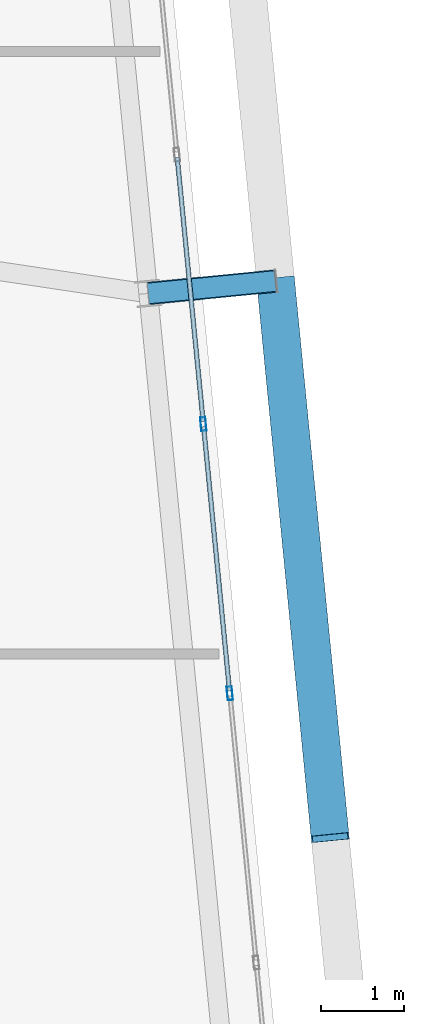
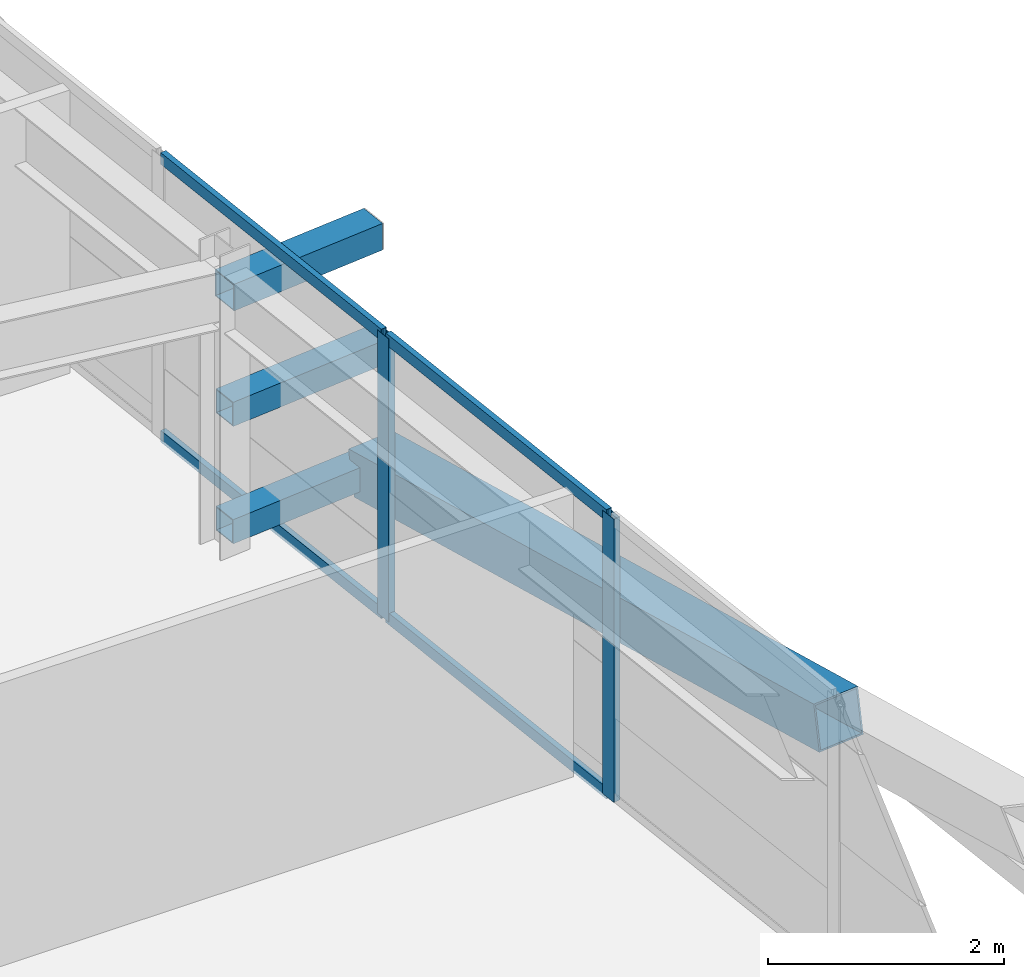
# One storey, part 24 of 52: 10 members, 1 element without a shape of its own.
"""IFC4 building model written with IfcOpenShell, lengths in metres."""

from ifc_helpers import new_model, si_unit, direction, frame, origin, origin_2d, place, context, subcontext, project, spatial, hollow_rectangle, extrude, source, transform, mapped, material, layer, layer_set, material_profile, profile_set, type_object, element, aggregate, save


model = new_model("IFC4")

# Units and contexts
model_context = context("Model", 3, precision=1e-05, world=origin(), true_north=direction((0.0, 1.0)))
body_context = subcontext(model_context, "Body", "Model", "MODEL_VIEW")
ifc_project = project(units=[si_unit("LENGTHUNIT", "METRE"), si_unit("AREAUNIT", "SQUARE_METRE"), si_unit("VOLUMEUNIT", "CUBIC_METRE"), si_unit("PLANEANGLEUNIT", "RADIAN"), si_unit("MASSUNIT", "GRAM", prefix="KILO")], contexts=[model_context])

# Site, building, storey
site_placement = place(None, origin())
site = spatial("IfcSite", under=ifc_project, at=site_placement, CompositionType="ELEMENT")
building_placement = place(site_placement, origin())
building = spatial("IfcBuilding", under=site, at=building_placement, Name="Taldren Reach Tower", CompositionType="ELEMENT")
storey_placement = place(building_placement, frame((0.0, 0.0, 96.60009765625)))
storey = spatial("IfcBuildingStorey", under=building, at=storey_placement, Name="L29", CompositionType="ELEMENT", Elevation=96.60009765625)

# Members
ifc_material_1 = material(Name="Steel Gr 450 (C450L0)", Category="steel")
ifc_material_profile_1 = material_profile(ifc_material_1, hollow_rectangle(XDim=0.27490234375, YDim=0.27490234375, WallThickness=0.00927734375, at=origin_2d()), Name="275x275x9.3SHS")
ifc_profile_set_1 = profile_set([ifc_material_profile_1], Name="Steel Gr 450 (C450L0)")
member_type_1 = type_object("IfcMemberType", Name="MB-TIE273", PredefinedType="STRUT", material=ifc_profile_set_1)
shared_shape_1 = source(origin(), body_context, "Body", "SweptSolid", [
    extrude(hollow_rectangle(XDim=0.27490234375, YDim=0.27490234375, WallThickness=0.00927734375, at=origin_2d()), origin(), (0.0, 0.0, 1.0), 1.5498046875),
])
member_1_placement = place(storey_placement, frame((64.569580078125, 21.968994140625, 2.64990234375), z_axis=(0.995234821595, 0.097507178627, 0.0), x_axis=(-0.097507178627, 0.995234821595, 0.0)))
element("IfcMember", 1, at=member_1_placement, inside=storey, type_object=member_type_1, Name="Exoskeleton diaphragm tie strut B2-E2 L29", PredefinedType="STRUT", context=body_context, shape_type="MappedRepresentation", body=[
    mapped(shared_shape_1, transform((0.0, 0.0, 0.0), scale=1.0)),
])
ifc_material_2 = material(Name="Steel Gr 350 (C350L0)", Category="steel")
ifc_material_profile_2 = material_profile(ifc_material_2, hollow_rectangle(XDim=0.25, YDim=0.25, WallThickness=0.010009765625, at=origin_2d()), Name="250x250x10.0SHS")
ifc_profile_set_2 = profile_set([ifc_material_profile_2], Name="Steel Gr 350 (C350L0)")
member_type_2 = type_object("IfcMemberType", Name="MB-POST250", PredefinedType="POST", material=ifc_profile_set_2)
shared_shape_2 = source(origin(), body_context, "Body", "SweptSolid", [
    extrude(hollow_rectangle(XDim=0.25, YDim=0.25, WallThickness=0.010009765625, at=origin_2d()), origin(), (0.0, 0.0, 1.0), 1.5498046875),
])
for number, where, z_axis, x_axis, name in (
    (2, (64.569580078125, 21.968994140625, 0.219970703125), (0.995234821595, 0.097507178627, 0.0), (-0.097507178627, 0.995234821595, 0.0), "Exoskeleton base diaphragm tie strut B2-E2 L29"),
    (3, (64.569580078125, 21.968994140625, 1.434814453125), (0.995234821595, 0.097507178627, 0.0), (-0.097507178627, 0.995234821595, 0.0), "Exoskeleton mid-tier diaphragm tie B2-E2 L29"),
):
    element("IfcMember", number, at=place(storey_placement, frame(where, z_axis=z_axis, x_axis=x_axis)), inside=storey, type_object=member_type_2, Name=name, PredefinedType="POST", context=body_context, shape_type="MappedRepresentation", body=[
        mapped(shared_shape_2, transform((0.0, 0.0, 0.0), scale=1.0)),
    ])
ifc_material_profile_3 = material_profile(ifc_material_1, hollow_rectangle(XDim=0.4599609375, YDim=0.4599609375, WallThickness=0.01611328125, at=origin_2d()), Name="460x460x16.0SHS")
ifc_profile_set_3 = profile_set([ifc_material_profile_3], Name="Steel Gr 450 (C450L0)")
member_type_3 = type_object("IfcMemberType", Name="MB-EXO457", PredefinedType="BRACE", material=ifc_profile_set_3)
shared_shape_3 = source(origin(), body_context, "Body", "SweptSolid", [
    extrude(hollow_rectangle(XDim=0.4599609375, YDim=0.4599609375, WallThickness=0.01611328125, at=origin_2d()), origin(), (0.0, 0.0, 1.0), 6.883056640625),
])
member_2_placement = place(storey_placement, frame((66.112060546875, 22.1201171875, 0.219970703125), z_axis=(0.096052059581, -0.979603316657, 0.176497432967), x_axis=(0.995227290009, 0.097584021339, 0.0)))
element("IfcMember", 4, at=member_2_placement, inside=storey, type_object=member_type_3, Name="Exoskeleton Diagrid Brace B2-E1 L29", PredefinedType="BRACE", context=body_context, shape_type="MappedRepresentation", body=[
    mapped(shared_shape_3, transform((0.0, 0.0, 0.0), scale=1.0)),
])

# Curtain wall, members
ifc_material_3 = material(Name="Aluminium and Low-E Glass Unitised System", Category="aluminium")
ifc_layer = layer(ifc_material_3, 0.159912109375)
ifc_layer_set = layer_set([ifc_layer], Name="Aluminium and Low-E Glass Unitised System")
curtain_wall_type = type_object("IfcCurtainWallType", Name="CW-SYS-3", PredefinedType="NOTDEFINED", material=ifc_layer_set)
curtain_wall_placement = place(storey_placement, origin())
curtain_wall = element("IfcCurtainWall", 5, at=curtain_wall_placement, inside=storey, type_object=curtain_wall_type, Name="Unitised curtain wall CW-L29-E", PredefinedType="NOTDEFINED")
ifc_material_4 = material(Name="Anodised Aluminium 6063-T6", Category="aluminium")
ifc_material_profile_4 = material_profile(ifc_material_4, hollow_rectangle(XDim=0.06494140625, YDim=0.1650390625, WallThickness=0.00390625, at=origin_2d()), Name="ALU-165x65x4RHS")
ifc_profile_set_4 = profile_set([ifc_material_profile_4], Name="Anodised Aluminium 6063-T6")
member_type_4 = type_object("IfcMemberType", Name="CW-MUL-165", PredefinedType="MULLION", material=ifc_profile_set_4)
shared_shape_4 = source(origin(), body_context, "Body", "SweptSolid", [
    extrude(hollow_rectangle(XDim=0.06494140625, YDim=0.1650390625, WallThickness=0.00390625, at=origin_2d()), origin(), (0.0, 0.0, 1.0), 2.929931640625),
])
member_3_placement = place(storey_placement, frame((65.556884765625, 17.12548828125, 0.0), z_axis=(0.0, 0.0, 1.0), x_axis=(-0.99522741555, -0.09758274098, 0.0)))
member_3 = element("IfcMember", 6, at=member_3_placement, type_object=member_type_4, Name="CW-3 mullion 4", PredefinedType="MULLION", context=body_context, shape_type="MappedRepresentation", body=[
    mapped(shared_shape_4, transform((0.0, 0.0, 0.0), scale=1.0)),
])
member_4_placement = place(storey_placement, frame((65.237060546875, 20.3876953125, 0.0), z_axis=(0.0, 0.0, 1.0), x_axis=(-0.99522741555, -0.09758274098, 0.0)))
member_4 = element("IfcMember", 7, at=member_4_placement, type_object=member_type_4, Name="CW-3 mullion 5", PredefinedType="MULLION", context=body_context, shape_type="MappedRepresentation", body=[
    mapped(shared_shape_4, transform((0.0, 0.0, 0.0), scale=1.0)),
])
ifc_material_profile_5 = material_profile(ifc_material_4, hollow_rectangle(XDim=0.054931640625, YDim=0.1201171875, WallThickness=0.0029296875, at=origin_2d()), Name="ALU-120x55x3RHS")
ifc_profile_set_5 = profile_set([ifc_material_profile_5], Name="Anodised Aluminium 6063-T6")
member_type_5 = type_object("IfcMemberType", Name="CW-TRN-135", PredefinedType="USERDEFINED", material=ifc_profile_set_5)
shared_shape_5 = source(origin(), body_context, "Body", "SweptSolid", [
    extrude(hollow_rectangle(XDim=0.054931640625, YDim=0.1201171875, WallThickness=0.0029296875, at=origin_2d()), origin(), (0.0, 0.0, 1.0), 3.212890625),
])
member_5_placement = place(storey_placement, frame((65.5537109375, 17.15771484375, 0.02734375), z_axis=(-0.097569948235, 0.995228669805, 0.0), x_axis=(-0.995228669805, -0.097569948235, 0.0)))
member_5 = element("IfcMember", 8, at=member_5_placement, type_object=member_type_5, Name="CW-3 transom 4.1", ObjectType="TRANSOM", PredefinedType="USERDEFINED", context=body_context, shape_type="MappedRepresentation", body=[
    mapped(shared_shape_5, transform((0.0, 0.0, 0.0), scale=1.0)),
])
member_6_placement = place(storey_placement, frame((65.5537109375, 17.15771484375, 2.90234375), z_axis=(-0.097569948235, 0.995228669805, 0.0), x_axis=(-0.995228669805, -0.097569948235, 0.0)))
member_6 = element("IfcMember", 9, at=member_6_placement, type_object=member_type_5, Name="CW-3 transom 4.2", ObjectType="TRANSOM", PredefinedType="USERDEFINED", context=body_context, shape_type="MappedRepresentation", body=[
    mapped(shared_shape_5, transform((0.0, 0.0, 0.0), scale=1.0)),
])
member_7_placement = place(storey_placement, frame((65.23388671875, 20.419921875, 0.02734375), z_axis=(-0.097645213046, 0.995221288141, 0.0), x_axis=(-0.995221288141, -0.097645213046, 0.0)))
member_7 = element("IfcMember", 10, at=member_7_placement, type_object=member_type_5, Name="CW-3 transom 5.1", ObjectType="TRANSOM", PredefinedType="USERDEFINED", context=body_context, shape_type="MappedRepresentation", body=[
    mapped(shared_shape_5, transform((0.0, 0.0, 0.0), scale=1.0)),
])
member_8_placement = place(storey_placement, frame((65.23388671875, 20.419921875, 2.90234375), z_axis=(-0.097645213046, 0.995221288141, 0.0), x_axis=(-0.995221288141, -0.097645213046, 0.0)))
member_8 = element("IfcMember", 11, at=member_8_placement, type_object=member_type_5, Name="CW-3 transom 5.2", ObjectType="TRANSOM", PredefinedType="USERDEFINED", context=body_context, shape_type="MappedRepresentation", body=[
    mapped(shared_shape_5, transform((0.0, 0.0, 0.0), scale=1.0)),
])
aggregate(curtain_wall, [member_3, member_4, member_5, member_6, member_7, member_8])

save(model, "model.ifc")
